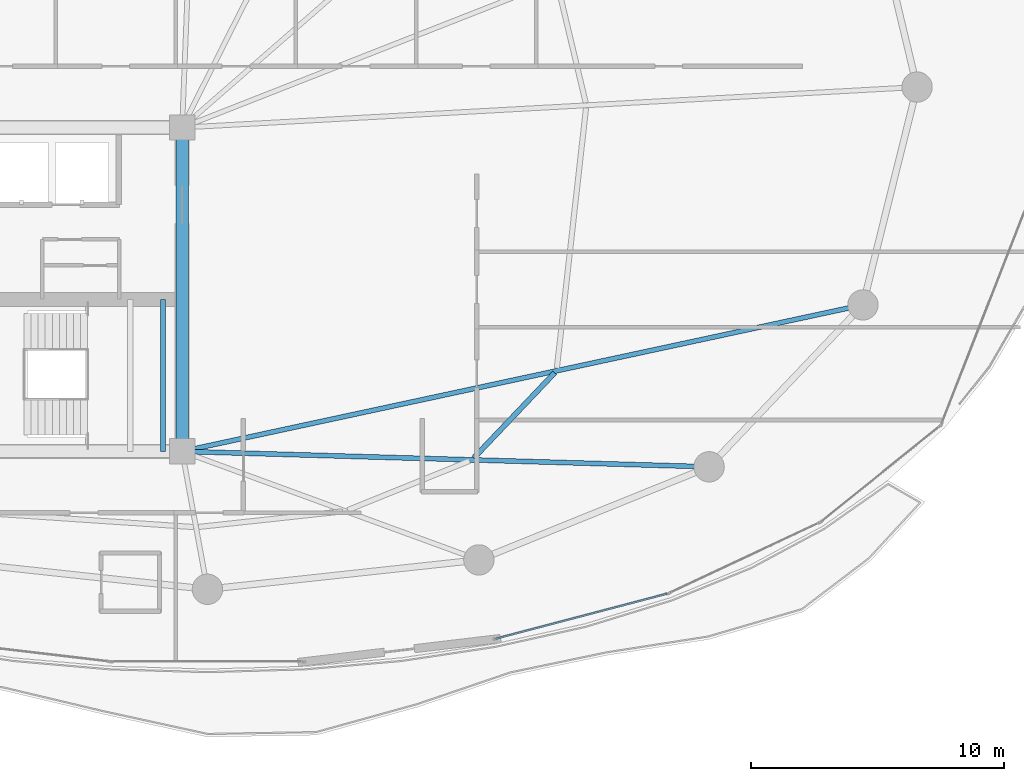
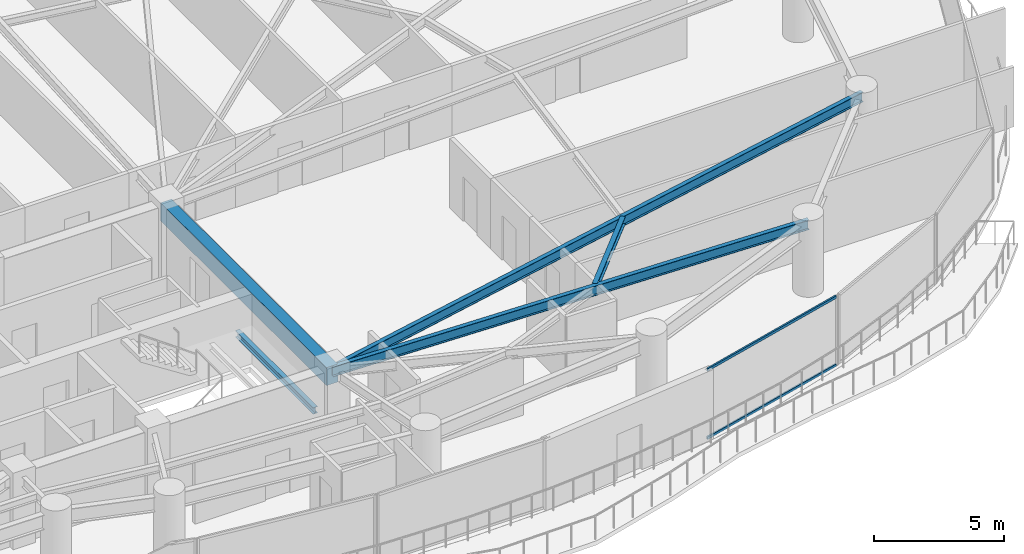
# One storey, part 13 of 33: 5 beams, 2 members, 1 element without a shape of its own.
"""IFC4 building model written with IfcOpenShell, lengths in metres."""

from ifc_helpers import new_model, si_unit, direction, frame, origin, origin_2d, place, context, subcontext, project, spatial, rectangle, hollow_rectangle, i_section, extrude, material, layer, layer_set, material_profile, profile_set, type_object, element, aggregate, save


model = new_model("IFC4")

# Units and contexts
model_context = context("Model", 3, precision=1e-05, world=origin(), true_north=direction((0.0, 1.0)))
body_context = subcontext(model_context, "Body", "Model", "MODEL_VIEW")
ifc_project = project(units=[si_unit("LENGTHUNIT", "METRE"), si_unit("AREAUNIT", "SQUARE_METRE"), si_unit("VOLUMEUNIT", "CUBIC_METRE"), si_unit("PLANEANGLEUNIT", "RADIAN"), si_unit("MASSUNIT", "GRAM", prefix="KILO")], contexts=[model_context])

# Site, building, storey
site_placement = place(None, origin())
site = spatial("IfcSite", under=ifc_project, at=site_placement, CompositionType="ELEMENT")
building_placement = place(site_placement, origin())
building = spatial("IfcBuilding", under=site, at=building_placement, Name="Kazevale Care Tower and Concert Hall", CompositionType="ELEMENT")
storey_placement = place(building_placement, frame((0.0, 0.0, 178.199951171875)))
storey = spatial("IfcBuildingStorey", under=building, at=storey_placement, Name="L47", CompositionType="ELEMENT", Elevation=178.199951171875)

# Curtain wall, members
ifc_material_1 = material(Name="Aluminium 6063-T6 and Low-E Glass", Category="aluminium")
ifc_layer = layer(ifc_material_1, 0.179931640625)
ifc_layer_set = layer_set([ifc_layer], Name="Aluminium 6063-T6 and Low-E Glass")
curtain_wall_type = type_object("IfcCurtainWallType", Name="Sheltered Concave Balcony Curtain Wall CW-5", PredefinedType="NOTDEFINED", material=ifc_layer_set)
curtain_wall_placement = place(storey_placement, origin())
curtain_wall = element("IfcCurtainWall", 1, at=curtain_wall_placement, inside=storey, type_object=curtain_wall_type, Name="cw:L47:f04", PredefinedType="NOTDEFINED")
ifc_material_2 = material(Name="Aluminium 6063-T6", Category="aluminium")
ifc_material_profile_1 = material_profile(ifc_material_2, hollow_rectangle(XDim=0.074951171875, YDim=0.1201171875, WallThickness=0.00390625, at=origin_2d()), Name="ALU75x120x4")
ifc_profile_set_1 = profile_set([ifc_material_profile_1], Name="Aluminium 6063-T6")
member_type = type_object("IfcMemberType", Name="CW-5 Transom ALU75x120x4", PredefinedType="USERDEFINED", material=ifc_profile_set_1)
member_1_placement = place(storey_placement, frame((63.16845703125, 17.971923828125, 0.03759765625), z_axis=(-0.967142752699, -0.254233939321, 0.0), x_axis=(0.254233939321, -0.967142752699, 0.0)))
member_1 = element("IfcMember", 2, at=member_1_placement, type_object=member_type, Name="CW-5 transom 1.1", ObjectType="TRANSOM", PredefinedType="USERDEFINED", context=body_context, shape_type="SweptSolid", body=[
    extrude(hollow_rectangle(XDim=0.074951171875, YDim=0.1201171875, WallThickness=0.00390625, at=origin_2d()), origin(), (0.0, 0.0, 1.0), 6.996826171875),
])
member_2_placement = place(storey_placement, frame((63.16845703125, 17.971923828125, 3.242431640625), z_axis=(-0.967142752699, -0.254233939321, 0.0), x_axis=(0.254233939321, -0.967142752699, 0.0)))
member_2 = element("IfcMember", 3, at=member_2_placement, type_object=member_type, Name="CW-5 transom 1.2", ObjectType="TRANSOM", PredefinedType="USERDEFINED", context=body_context, shape_type="SweptSolid", body=[
    extrude(hollow_rectangle(XDim=0.074951171875, YDim=0.1201171875, WallThickness=0.00390625, at=origin_2d()), origin(), (0.0, 0.0, 1.0), 6.996826171875),
])
aggregate(curtain_wall, [member_1, member_2])

# Beams
ifc_material_3 = material(Name="Concrete C60", Category="concrete")
ifc_material_profile_2 = material_profile(ifc_material_3, rectangle(XDim=0.5, YDim=0.85009765625, at=origin_2d()), Name="RC-B500x850")
ifc_profile_set_2 = profile_set([ifc_material_profile_2], Name="Concrete C60")
beam_type_1 = type_object("IfcBeamType", Name="Core Coupling Beam RC500x850", PredefinedType="LINTEL", material=ifc_profile_set_2)
beam_1_placement = place(storey_placement, frame((44.0, 23.60009765625, 2.85498046875), z_axis=(0.0, 1.0, 0.0), x_axis=(-1.0, 0.0, 0.0)))
element("IfcBeam", 4, at=beam_1_placement, inside=storey, type_object=beam_type_1, Name="beam:L47:coretie:4", PredefinedType="LINTEL", context=body_context, shape_type="SweptSolid", body=[
    extrude(rectangle(XDim=0.5, YDim=0.85009765625, at=origin_2d()), origin(), (0.0, 0.0, 1.0), 12.7998046875),
])
ifc_material_4 = material(Name="Steel ASTM A572 Gr 50", Category="steel")
ifc_material_profile_3 = material_profile(ifc_material_4, i_section(OverallWidth=0.19091796875, OverallDepth=0.4599609375, WebThickness=0.010009765625, FlangeThickness=0.01611328125, at=origin_2d()), Name="W460x82")
ifc_profile_set_3 = profile_set([ifc_material_profile_3], Name="Steel ASTM A572 Gr 50")
beam_type_2 = type_object("IfcBeamType", Name="Radial Floor Beam W460x82", PredefinedType="BEAM", material=ifc_profile_set_3)
beam_2_placement = place(storey_placement, frame((44.0, 23.60009765625, 3.050048828125), z_axis=(0.99957133157, -0.029277177187, 0.0), x_axis=(0.029277177187, 0.99957133157, 0.0)))
element("IfcBeam", 5, at=beam_2_placement, inside=storey, type_object=beam_type_2, Name="beam:L47:rad:15", PredefinedType="BEAM", context=body_context, shape_type="SweptSolid", body=[
    extrude(i_section(OverallWidth=0.19091796875, OverallDepth=0.4599609375, WebThickness=0.010009765625, FlangeThickness=0.01611328125, at=origin_2d()), origin(), (0.0, 0.0, 1.0), 20.839111328125),
])
beam_3_placement = place(storey_placement, frame((44.0, 23.60009765625, 3.050048828125), z_axis=(0.97762801725, 0.210341293823, 0.0), x_axis=(-0.210341293823, 0.97762801725, 0.0)))
element("IfcBeam", 6, at=beam_3_placement, inside=storey, type_object=beam_type_2, Name="beam:L47:rad:16", PredefinedType="BEAM", context=body_context, shape_type="SweptSolid", body=[
    extrude(i_section(OverallWidth=0.19091796875, OverallDepth=0.4599609375, WebThickness=0.010009765625, FlangeThickness=0.01611328125, at=origin_2d()), origin(), (0.0, 0.0, 1.0), 27.525634765625),
])
ifc_material_profile_4 = material_profile(ifc_material_4, i_section(OverallWidth=0.205078125, OverallDepth=0.35400390625, WebThickness=0.009521484375, FlangeThickness=0.016845703125, at=origin_2d()), Name="W360x79")
ifc_profile_set_4 = profile_set([ifc_material_profile_4], Name="Steel ASTM A572 Gr 50")
beam_type_3 = type_object("IfcBeamType", Name="Secondary Floor Joist W360x79", PredefinedType="JOIST", material=ifc_profile_set_4)
beam_4_placement = place(storey_placement, frame((55.529052734375, 23.341064453125, 3.10302734375), z_axis=(0.688792288395, 0.724958746032, 0.0), x_axis=(-0.724958746032, 0.688792288395, 0.0)))
element("IfcBeam", 7, at=beam_4_placement, inside=storey, type_object=beam_type_3, Name="beam:L47:joist:15", PredefinedType="JOIST", context=body_context, shape_type="SweptSolid", body=[
    extrude(i_section(OverallWidth=0.205078125, OverallDepth=0.35400390625, WebThickness=0.009521484375, FlangeThickness=0.016845703125, at=origin_2d()), origin(), (0.0, 0.0, 1.0), 4.644287109375),
])
ifc_material_profile_5 = material_profile(ifc_material_4, i_section(OverallWidth=0.202880859375, OverallDepth=0.302978515625, WebThickness=0.007568359375, FlangeThickness=0.01318359375, at=origin_2d()), Name="W310x60")
ifc_profile_set_5 = profile_set([ifc_material_profile_5], Name="Steel ASTM A572 Gr 50")
beam_type_4 = type_object("IfcBeamType", Name="Stair & Balcony Trimmer W310x60", PredefinedType="BEAM", material=ifc_profile_set_5)
beam_5_placement = place(storey_placement, frame((43.25, 23.60009765625, 1.448486328125), z_axis=(0.0, 1.0, 0.0), x_axis=(-1.0, 0.0, 0.0)))
element("IfcBeam", 8, at=beam_5_placement, inside=storey, type_object=beam_type_4, Name="beam:L47:sttrim:ST2b", PredefinedType="BEAM", context=body_context, shape_type="SweptSolid", body=[
    extrude(i_section(OverallWidth=0.202880859375, OverallDepth=0.302978515625, WebThickness=0.007568359375, FlangeThickness=0.01318359375, at=origin_2d()), origin(), (0.0, 0.0, 1.0), 6.0),
])

save(model, "model.ifc")
